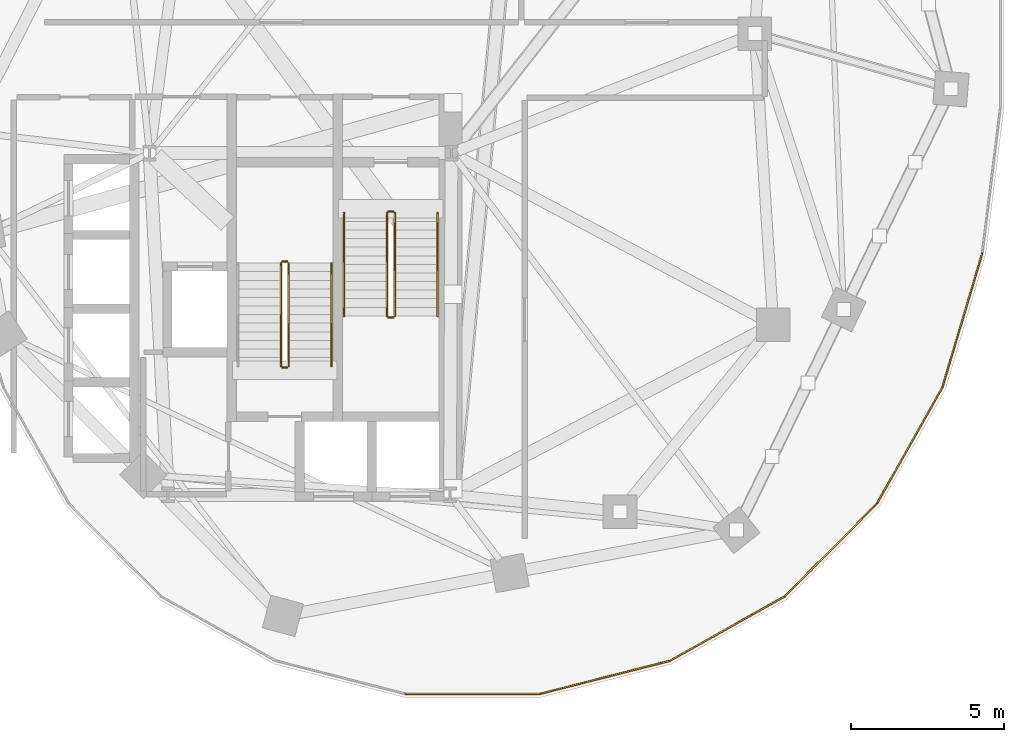
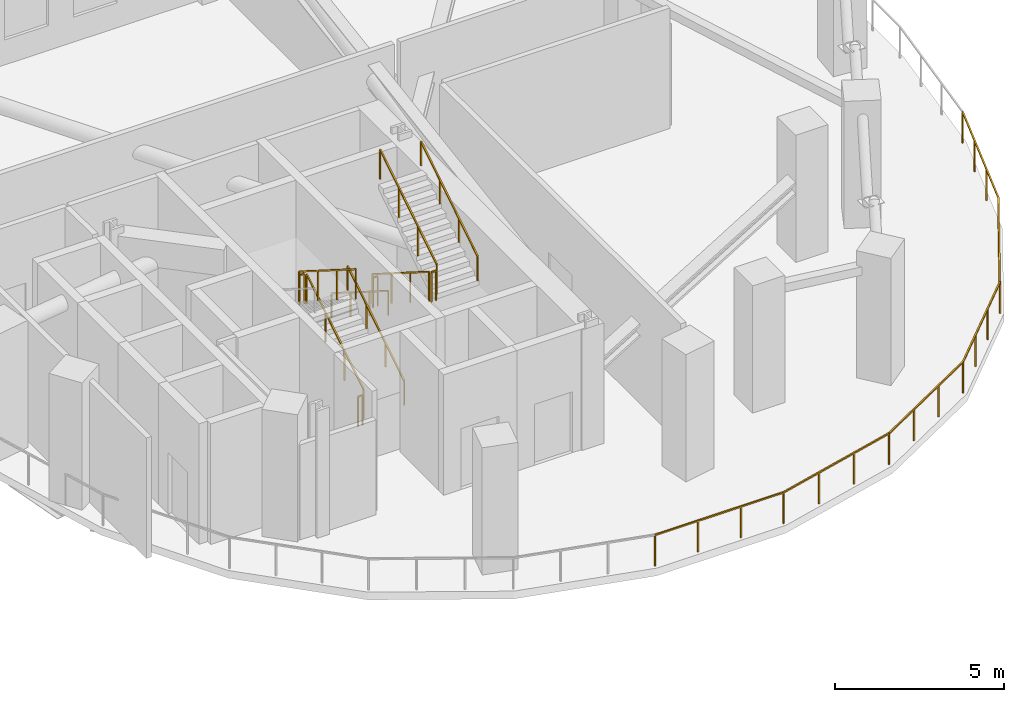
# One storey, part 11 of 12: 14 railings.
"""IFC4 building model written with IfcOpenShell, lengths in metres."""

import ifcopenshell
import ifcopenshell.guid

model = None  # the IFC model being written
_history = None  # IfcOwnerHistory: only IFC2X3 demands one
_inside = {}  # id of a spatial element -> (the spatial element, [elements in it])
_under = {}  # id of a project, library or spatial element -> (it, [spatial elements below it])
_declared = {}  # id of a project -> (the project, [libraries it declares])
_typed = {}  # id of a type object -> (the type object, [elements of that type])
_made_of = {}  # id of a material, layer set ... -> (it, [elements and type objects made of it])


def new_model(schema):
    """Start an empty IFC model of exactly this schema.

    Asked for "IFC4X3", IfcOpenShell would pick the latest addendum, in which some entities
    have other attributes; the version numbers below select the first issue.
    IFC2X3 requires an IfcOwnerHistory on every rooted entity: one is made here for all.
    """
    global model, _history
    if schema == "IFC4X3":
        model = ifcopenshell.file(schema_version=(4, 3, 0, 0))
    else:
        model = ifcopenshell.file(schema=schema)
    _inside.clear()
    _under.clear()
    _declared.clear()
    _typed.clear()
    _made_of.clear()
    _history = None
    if model.schema == "IFC2X3":
        org = make("IfcOrganization", Name="unknown")
        user = make(
            "IfcPersonAndOrganization",
            ThePerson=make("IfcPerson", FamilyName="unknown"),
            TheOrganization=org,
        )
        app = make(
            "IfcApplication",
            ApplicationDeveloper=org,
            Version="unknown",
            ApplicationFullName="unknown",
            ApplicationIdentifier="unknown",
        )
        _history = make(
            "IfcOwnerHistory",
            OwningUser=user,
            OwningApplication=app,
            ChangeAction="ADDED",
            CreationDate=0,
        )
    return model


def make(cls, **values):
    """One entity of the class cls with the attributes given. An attribute that is None is left unset."""
    return model.create_entity(
        cls, **{name: value for name, value in values.items() if value is not None}
    )


def rooted(cls, **values):
    """An entity with a GlobalId (a new one), such as an element, a storey or a relation."""
    return make(cls, GlobalId=ifcopenshell.guid.new(), OwnerHistory=_history, **values)


def si_unit(unit_type, name, prefix=None):
    """IfcSIUnit, for example si_unit("LENGTHUNIT", "METRE", prefix="MILLI")."""
    return make("IfcSIUnit", UnitType=unit_type, Prefix=prefix, Name=name)


def assignment(units):
    """IfcUnitAssignment: the units of a project."""
    return None if units is None else make("IfcUnitAssignment", Units=units)


def point(xyz):
    """IfcCartesianPoint."""
    return None if xyz is None else make("IfcCartesianPoint", Coordinates=xyz)


def direction(xyz):
    """IfcDirection."""
    return None if xyz is None else make("IfcDirection", DirectionRatios=xyz)


def frame(location, z_axis=None, x_axis=None):
    """IfcAxis2Placement3D, a coordinate frame: its origin and axes. An axis left out is left unset."""
    return make(
        "IfcAxis2Placement3D",
        Location=point(location),
        Axis=direction(z_axis),
        RefDirection=direction(x_axis),
    )


def frame_2d(location, x_axis=None):
    """IfcAxis2Placement2D, a coordinate frame in the plane: its origin and x axis."""
    return make(
        "IfcAxis2Placement2D", Location=point(location), RefDirection=direction(x_axis)
    )


def origin():
    """The frame at (0, 0, 0) with its axes left unset."""
    return frame((0.0, 0.0, 0.0))


def origin_2d():
    """The frame at (0, 0) in the plane with its x axis left unset."""
    return frame_2d((0.0, 0.0))


def place(relative_to, where):
    """IfcLocalPlacement: puts the frame where relative to a parent placement (None: the world)."""
    return make(
        "IfcLocalPlacement", PlacementRelTo=relative_to, RelativePlacement=where
    )


def context(
    kind, dimensions, precision=None, world=None, true_north=None, identifier=None
):
    """IfcGeometricRepresentationContext, for example the 3D "Model" context."""
    return make(
        "IfcGeometricRepresentationContext",
        ContextIdentifier=identifier,
        ContextType=kind,
        CoordinateSpaceDimension=dimensions,
        Precision=precision,
        WorldCoordinateSystem=world,
        TrueNorth=true_north,
    )


def subcontext(parent, identifier, kind, view, scale=None):
    """IfcGeometricRepresentationSubContext, for example "Body" below "Model"."""
    return make(
        "IfcGeometricRepresentationSubContext",
        ContextIdentifier=identifier,
        ContextType=kind,
        ParentContext=parent,
        TargetScale=scale,
        TargetView=view,
    )


def project(units=None, contexts=None):
    """IfcProject with its units and contexts."""
    return rooted(
        "IfcProject",
        Name="project",
        RepresentationContexts=contexts,
        UnitsInContext=assignment(units),
    )


def spatial(cls, under=None, at=None, **own):
    """A site, building, storey or space (cls), placed at a placement, below another one or the project."""
    s = rooted(cls, ObjectPlacement=at, **own)
    if under is not None:
        _under.setdefault(under.id(), (under, []))[1].append(s)
    return s


def profile(cls, at=None, kind="AREA", **sizes):
    """A parametric profile (cls). Its sizes go by their IFC names, for example OverallWidth=200.0."""
    return make(cls, ProfileType=kind, Position=at, **sizes)


def rectangle(**sizes):
    """IfcRectangleProfileDef."""
    return profile("IfcRectangleProfileDef", **sizes)


def extrude(swept, where, along, depth):
    """IfcExtrudedAreaSolid: the profile swept, set in the frame where, extruded along a direction by depth."""
    return make(
        "IfcExtrudedAreaSolid",
        SweptArea=swept,
        Position=where,
        ExtrudedDirection=direction(along),
        Depth=depth,
    )


def shape(context_of_items, identifier, shape_type, items):
    """IfcShapeRepresentation: the items that make up one representation, for example the "Body"."""
    return make(
        "IfcShapeRepresentation",
        ContextOfItems=context_of_items,
        RepresentationIdentifier=identifier,
        RepresentationType=shape_type,
        Items=items,
    )


def material(Name=None, Category=None):
    """IfcMaterial."""
    return make("IfcMaterial", Name=Name, Category=Category)


def made_of(thing, what):
    """Note that an element or type object is made of a material, layer set ...; save() writes the relation."""
    if what is not None:
        _made_of.setdefault(what.id(), (what, []))[1].append(thing)
    return thing


def type_object(cls, material=None, **own):
    """A type object (cls), such as IfcWallType, which elements share."""
    return made_of(rooted(cls, **own), material)


def element(
    cls,
    number,
    at=None,
    inside=None,
    cuts=None,
    type_object=None,
    material=None,
    context=None,
    identifier="Body",
    shape_type=None,
    held_by="IfcProductDefinitionShape",
    body=None,
    shapes=None,
    **own,
):
    """One element of the class cls, such as IfcWall. Its Tag is "e" and its number.

    at: its placement. inside: the storey or other place that contains it. cuts: it is an
    opening in that element (IfcRelVoidsElement). A single representation is given by context,
    identifier, shape_type and body (its items); several are given by shapes. held_by: the class
    of the entity that holds the representations. save() writes the other relations.
    """
    e = rooted(cls, Tag="e%d" % number, ObjectPlacement=at, **own)
    if body is not None:
        shapes = [shape(context, identifier, shape_type, body)]
    if shapes is not None:
        e.Representation = make(held_by, Representations=shapes)
    if inside is not None:
        _inside.setdefault(inside.id(), (inside, []))[1].append(e)
    if cuts is not None:
        rooted(
            "IfcRelVoidsElement", RelatingBuildingElement=cuts, RelatedOpeningElement=e
        )
    if type_object is not None:
        _typed.setdefault(type_object.id(), (type_object, []))[1].append(e)
    return made_of(e, material)


def aggregate(whole, parts):
    """IfcRelAggregates: a whole, such as a stair, and the parts it consists of."""
    return rooted("IfcRelAggregates", RelatingObject=whole, RelatedObjects=parts)


def save(model, path):
    """Write the relations noted so far, then the file.

    IfcRelAggregates (storeys below a building ...), IfcRelContainedInSpatialStructure (elements
    in a storey), IfcRelDefinesByType, IfcRelAssociatesMaterial and IfcRelDeclares: one each for
    every whole, place, type object, material and project.
    """
    for whole, parts in _under.values():
        aggregate(whole, parts)
    for where, things in _inside.values():
        rooted(
            "IfcRelContainedInSpatialStructure",
            RelatedElements=things,
            RelatingStructure=where,
        )
    for kind, things in _typed.values():
        rooted("IfcRelDefinesByType", RelatedObjects=things, RelatingType=kind)
    for what, things in _made_of.values():
        rooted("IfcRelAssociatesMaterial", RelatedObjects=things, RelatingMaterial=what)
    for by, libraries in _declared.values():
        rooted("IfcRelDeclares", RelatingContext=by, RelatedDefinitions=libraries)
    model.write(path)


model = new_model("IFC4")

# Units and contexts
model_context = context("Model", 3, precision=1e-05, world=origin(), true_north=direction((0.0, 1.0)))
body_context = subcontext(model_context, "Body", "Model", "MODEL_VIEW")
ifc_project = project(units=[si_unit("LENGTHUNIT", "METRE"), si_unit("AREAUNIT", "SQUARE_METRE"), si_unit("VOLUMEUNIT", "CUBIC_METRE"), si_unit("PLANEANGLEUNIT", "RADIAN"), si_unit("MASSUNIT", "GRAM", prefix="KILO"), si_unit("THERMODYNAMICTEMPERATUREUNIT", "KELVIN"), si_unit("POWERUNIT", "WATT")], contexts=[model_context])

# Site, building, storey
site_placement = place(None, origin())
site = spatial("IfcSite", under=ifc_project, at=site_placement, CompositionType="ELEMENT")
building_placement = place(site_placement, origin())
building = spatial("IfcBuilding", under=site, at=building_placement, Name="Cundina Bronze Exchange", CompositionType="ELEMENT")
storey_placement = place(building_placement, frame((0.0, 0.0, 132.199951171875)))
storey = spatial("IfcBuildingStorey", under=building, at=storey_placement, Name="L34", CompositionType="ELEMENT", Elevation=132.199951171875)

# Railings
ifc_material_1 = material(Name="Anodised Bronze Aluminium 6063-T6", Category="aluminium")
railing_type_1 = type_object("IfcRailingType", Name="RLG-GRD-1150", PredefinedType="GUARDRAIL", material=ifc_material_1)
railing_1_placement = place(storey_placement, frame((48.6171875, -7.17529296875, 0.0)))
element("IfcRailing", 1, at=railing_1_placement, inside=storey, type_object=railing_type_1, Name="L34 Perimeter Safety Guardrail 02", PredefinedType="GUARDRAIL", context=body_context, shape_type="SweptSolid", body=[
    extrude(rectangle(XDim=0.048095703125, YDim=0.048095703125, at=origin_2d()), frame((0.0, 0.0, 1.1259765625), z_axis=(-0.284864013169, -0.958567939168, 0.0), x_axis=(0.958567939168, -0.284864013169, 0.0)), (0.0, 0.0, 1.0), 4.564697265625),
    extrude(rectangle(XDim=0.048095703125, YDim=0.048095703125, at=origin_2d()), frame((-1.30029296875, -4.37548828125, 1.1259765625), z_axis=(-0.491134584651, -0.871083704221, 0.0), x_axis=(0.871083704221, -0.491134584651, 0.0)), (0.0, 0.0, 1.0), 4.35205078125),
    extrude(rectangle(XDim=0.0419921875, YDim=0.0419921875, at=origin_2d()), origin(), (0.0, 0.0, 1.0), 1.101806640625),
    extrude(rectangle(XDim=0.0419921875, YDim=0.0419921875, at=origin_2d()), frame((-0.433349609375, -1.45849609375, 0.0)), (0.0, 0.0, 1.0), 1.101806640625),
    extrude(rectangle(XDim=0.0419921875, YDim=0.0419921875, at=origin_2d()), frame((-0.866943359375, -2.9169921875, 0.0)), (0.0, 0.0, 1.0), 1.101806640625),
    extrude(rectangle(XDim=0.0419921875, YDim=0.0419921875, at=origin_2d()), frame((-1.30029296875, -4.37548828125, 0.0)), (0.0, 0.0, 1.0), 1.101806640625),
    extrude(rectangle(XDim=0.0419921875, YDim=0.0419921875, at=origin_2d()), frame((-2.0126953125, -5.63916015625, 0.0)), (0.0, 0.0, 1.0), 1.101806640625),
    extrude(rectangle(XDim=0.0419921875, YDim=0.0419921875, at=origin_2d()), frame((-2.725341796875, -6.90283203125, 0.0)), (0.0, 0.0, 1.0), 1.101806640625),
    extrude(rectangle(XDim=0.0419921875, YDim=0.0419921875, at=origin_2d()), frame((-3.437744140625, -8.16650390625, 0.0)), (0.0, 0.0, 1.0), 1.101806640625),
])
railing_2_placement = place(storey_placement, frame((45.179443359375, -15.341796875, 0.0)))
element("IfcRailing", 2, at=railing_2_placement, inside=storey, type_object=railing_type_1, Name="L34 Perimeter Safety Guardrail 03", PredefinedType="GUARDRAIL", context=body_context, shape_type="SweptSolid", body=[
    extrude(rectangle(XDim=0.048095703125, YDim=0.048095703125, at=origin_2d()), frame((0.0, 0.0, 1.1259765625), z_axis=(-0.705213293252, -0.70899521227, 0.0), x_axis=(0.70899521227, -0.705213293252, 0.0)), (0.0, 0.0, 1.0), 4.260498046875),
    extrude(rectangle(XDim=0.048095703125, YDim=0.048095703125, at=origin_2d()), frame((-3.004638671875, -3.020751953125, 1.1259765625), z_axis=(-0.871962493313, -0.48957268128, 0.0), x_axis=(0.48957268128, -0.871962493313, 0.0)), (0.0, 0.0, 1.0), 4.293701171875),
    extrude(rectangle(XDim=0.0419921875, YDim=0.0419921875, at=origin_2d()), origin(), (0.0, 0.0, 1.0), 1.101806640625),
    extrude(rectangle(XDim=0.0419921875, YDim=0.0419921875, at=origin_2d()), frame((-1.00146484375, -1.0068359375, 0.0)), (0.0, 0.0, 1.0), 1.101806640625),
    extrude(rectangle(XDim=0.0419921875, YDim=0.0419921875, at=origin_2d()), frame((-2.003173828125, -2.013916015625, 0.0)), (0.0, 0.0, 1.0), 1.101806640625),
    extrude(rectangle(XDim=0.0419921875, YDim=0.0419921875, at=origin_2d()), frame((-3.004638671875, -3.020751953125, 0.0)), (0.0, 0.0, 1.0), 1.101806640625),
    extrude(rectangle(XDim=0.0419921875, YDim=0.0419921875, at=origin_2d()), frame((-4.252685546875, -3.721435546875, 0.0)), (0.0, 0.0, 1.0), 1.101806640625),
    extrude(rectangle(XDim=0.0419921875, YDim=0.0419921875, at=origin_2d()), frame((-5.50048828125, -4.422119140625, 0.0)), (0.0, 0.0, 1.0), 1.101806640625),
    extrude(rectangle(XDim=0.0419921875, YDim=0.0419921875, at=origin_2d()), frame((-6.74853515625, -5.122802734375, 0.0)), (0.0, 0.0, 1.0), 1.101806640625),
])
railing_3_placement = place(storey_placement, frame((38.430908203125, -20.464599609375, 0.0)))
element("IfcRailing", 3, at=railing_3_placement, inside=storey, type_object=railing_type_1, Name="L34 Perimeter Safety Guardrail 04", PredefinedType="GUARDRAIL", context=body_context, shape_type="SweptSolid", body=[
    extrude(rectangle(XDim=0.048095703125, YDim=0.048095703125, at=origin_2d()), frame((0.0, 0.0, 1.1259765625), z_axis=(-0.969034209537, -0.246926508799, 0.0), x_axis=(0.246926508799, -0.969034209537, 0.0)), (0.0, 0.0, 1.0), 4.3671875),
    extrude(rectangle(XDim=0.048095703125, YDim=0.048095703125, at=origin_2d()), frame((-4.23193359375, -1.078369140625, 1.1259765625), z_axis=(-1.0, 0.0, 0.0), x_axis=(0.0, -1.0, 0.0)), (0.0, 0.0, 1.0), 4.39794921875),
    extrude(rectangle(XDim=0.0419921875, YDim=0.0419921875, at=origin_2d()), origin(), (0.0, 0.0, 1.0), 1.101806640625),
    extrude(rectangle(XDim=0.0419921875, YDim=0.0419921875, at=origin_2d()), frame((-1.41064453125, -0.359375, 0.0)), (0.0, 0.0, 1.0), 1.101806640625),
    extrude(rectangle(XDim=0.0419921875, YDim=0.0419921875, at=origin_2d()), frame((-2.8212890625, -0.718994140625, 0.0)), (0.0, 0.0, 1.0), 1.101806640625),
    extrude(rectangle(XDim=0.0419921875, YDim=0.0419921875, at=origin_2d()), frame((-4.23193359375, -1.078369140625, 0.0)), (0.0, 0.0, 1.0), 1.101806640625),
    extrude(rectangle(XDim=0.0419921875, YDim=0.0419921875, at=origin_2d()), frame((-5.697998046875, -1.078369140625, 0.0)), (0.0, 0.0, 1.0), 1.101806640625),
    extrude(rectangle(XDim=0.0419921875, YDim=0.0419921875, at=origin_2d()), frame((-7.163818359375, -1.078369140625, 0.0)), (0.0, 0.0, 1.0), 1.101806640625),
    extrude(rectangle(XDim=0.0419921875, YDim=0.0419921875, at=origin_2d()), frame((-8.6298828125, -1.078369140625, 0.0)), (0.0, 0.0, 1.0), 1.101806640625),
])
ifc_material_2 = material(Name="Steel ASTM A36 Painted", Category="steel")
railing_type_2 = type_object("IfcRailingType", Name="RLG-HND-900", PredefinedType="HANDRAIL", material=ifc_material_2)
railing_4_placement = place(storey_placement, frame((27.7900390625, -5.85009765625, 0.177001953125)))
element("IfcRailing", 4, at=railing_4_placement, inside=storey, type_object=railing_type_2, Name="L34 ST-E1 stair handrail 1", PredefinedType="HANDRAIL", context=body_context, shape_type="SweptSolid", body=[
    extrude(rectangle(XDim=0.048095703125, YDim=0.048095703125, at=origin_2d()), frame((0.0, 0.0, 0.8759765625), z_axis=(0.0, -0.845372108799, 0.534177870812), x_axis=(1.0, 0.0, 0.0)), (0.0, 0.0, 1.0), 3.974365234375),
    extrude(rectangle(XDim=0.0419921875, YDim=0.0419921875, at=origin_2d()), origin(), (0.0, 0.0, 1.0), 0.851806640625),
    extrude(rectangle(XDim=0.0419921875, YDim=0.0419921875, at=origin_2d()), frame((0.0, -1.119873046875, 0.707763671875)), (0.0, 0.0, 1.0), 0.851806640625),
    extrude(rectangle(XDim=0.0419921875, YDim=0.0419921875, at=origin_2d()), frame((0.0, -2.239990234375, 1.415283203125)), (0.0, 0.0, 1.0), 0.851806640625),
    extrude(rectangle(XDim=0.0419921875, YDim=0.0419921875, at=origin_2d()), frame((0.0, -3.35986328125, 2.123046875)), (0.0, 0.0, 1.0), 0.851806640625),
])
railing_5_placement = place(storey_placement, frame((30.85009765625, -9.2099609375, 2.47705078125)))
element("IfcRailing", 5, at=railing_5_placement, inside=storey, type_object=railing_type_2, Name="L34 ST-E1 stair handrail 2", PredefinedType="HANDRAIL", context=body_context, shape_type="SweptSolid", body=[
    extrude(rectangle(XDim=0.048095703125, YDim=0.048095703125, at=origin_2d()), frame((0.0, 0.0, 0.8759765625), z_axis=(0.0, 0.845372108799, 0.534177870812), x_axis=(-1.0, 0.0, 0.0)), (0.0, 0.0, 1.0), 3.974365234375),
    extrude(rectangle(XDim=0.0419921875, YDim=0.0419921875, at=origin_2d()), origin(), (0.0, 0.0, 1.0), 0.851806640625),
    extrude(rectangle(XDim=0.0419921875, YDim=0.0419921875, at=origin_2d()), frame((0.0, 1.119873046875, 0.707763671875)), (0.0, 0.0, 1.0), 0.851806640625),
    extrude(rectangle(XDim=0.0419921875, YDim=0.0419921875, at=origin_2d()), frame((0.0, 2.239990234375, 1.415283203125)), (0.0, 0.0, 1.0), 0.851806640625),
    extrude(rectangle(XDim=0.0419921875, YDim=0.0419921875, at=origin_2d()), frame((0.0, 3.35986328125, 2.123046875)), (0.0, 0.0, 1.0), 0.851806640625),
])
railing_6_placement = place(storey_placement, frame((27.389892578125, -10.85009765625, 0.177001953125)))
element("IfcRailing", 6, at=railing_6_placement, inside=storey, type_object=railing_type_2, Name="L34 ST-E2 stair handrail 1", PredefinedType="HANDRAIL", context=body_context, shape_type="SweptSolid", body=[
    extrude(rectangle(XDim=0.048095703125, YDim=0.048095703125, at=origin_2d()), frame((0.0, 0.0, 0.8759765625), z_axis=(0.0, 0.845389635667, 0.534150132366), x_axis=(-1.0, 0.0, 0.0)), (0.0, 0.0, 1.0), 3.974609375),
    extrude(rectangle(XDim=0.0419921875, YDim=0.0419921875, at=origin_2d()), origin(), (0.0, 0.0, 1.0), 0.851806640625),
    extrude(rectangle(XDim=0.0419921875, YDim=0.0419921875, at=origin_2d()), frame((0.0, 1.1201171875, 0.707763671875)), (0.0, 0.0, 1.0), 0.851806640625),
    extrude(rectangle(XDim=0.0419921875, YDim=0.0419921875, at=origin_2d()), frame((0.0, 2.239990234375, 1.415283203125)), (0.0, 0.0, 1.0), 0.851806640625),
    extrude(rectangle(XDim=0.0419921875, YDim=0.0419921875, at=origin_2d()), frame((0.0, 3.360107421875, 2.123046875)), (0.0, 0.0, 1.0), 0.851806640625),
])
railing_type_3 = type_object("IfcRailingType", Name="RLG-STG-1100", PredefinedType="GUARDRAIL", material=ifc_material_2)
railing_7_placement = place(storey_placement, frame((29.18994140625, -5.85009765625, 0.177001953125)))
element("IfcRailing", 7, at=railing_7_placement, inside=storey, type_object=railing_type_3, Name="L34 ST-E1 stair guard 1", PredefinedType="GUARDRAIL", context=body_context, shape_type="SweptSolid", body=[
    extrude(rectangle(XDim=0.048095703125, YDim=0.048095703125, at=origin_2d()), frame((0.0, 0.0, 1.076171875), z_axis=(0.0, -0.845372108799, 0.534177870812), x_axis=(1.0, 0.0, 0.0)), (0.0, 0.0, 1.0), 3.974365234375),
    extrude(rectangle(XDim=0.0419921875, YDim=0.0419921875, at=origin_2d()), origin(), (0.0, 0.0, 1.0), 1.052001953125),
    extrude(rectangle(XDim=0.0419921875, YDim=0.0419921875, at=origin_2d()), frame((0.0, -1.119873046875, 0.707763671875)), (0.0, 0.0, 1.0), 1.052001953125),
    extrude(rectangle(XDim=0.0419921875, YDim=0.0419921875, at=origin_2d()), frame((0.0, -2.239990234375, 1.415283203125)), (0.0, 0.0, 1.0), 1.052001953125),
    extrude(rectangle(XDim=0.0419921875, YDim=0.0419921875, at=origin_2d()), frame((0.0, -3.35986328125, 2.123046875)), (0.0, 0.0, 1.0), 1.052001953125),
])
railing_8_placement = place(storey_placement, frame((29.239990234375, -9.260009765625, 2.300048828125)))
element("IfcRailing", 8, at=railing_8_placement, inside=storey, type_object=railing_type_3, Name="L34 ST-E1 stair guard 2", PredefinedType="GUARDRAIL", context=body_context, shape_type="SweptSolid", body=[
    extrude(rectangle(XDim=0.048095703125, YDim=0.048095703125, at=origin_2d()), frame((0.0, 0.0, 1.076171875), z_axis=(1.0, 0.0, 0.0), x_axis=(0.0, 1.0, 0.0)), (0.0, 0.0, 1.0), 0.159912109375),
    extrude(rectangle(XDim=0.0419921875, YDim=0.0419921875, at=origin_2d()), origin(), (0.0, 0.0, 1.0), 1.052001953125),
    extrude(rectangle(XDim=0.0419921875, YDim=0.0419921875, at=origin_2d()), frame((0.159912109375, 0.0, 0.0)), (0.0, 0.0, 1.0), 1.052001953125),
])
railing_9_placement = place(storey_placement, frame((29.449951171875, -9.2099609375, 2.47705078125)))
element("IfcRailing", 9, at=railing_9_placement, inside=storey, type_object=railing_type_3, Name="L34 ST-E1 stair guard 3", PredefinedType="GUARDRAIL", context=body_context, shape_type="SweptSolid", body=[
    extrude(rectangle(XDim=0.048095703125, YDim=0.048095703125, at=origin_2d()), frame((0.0, 0.0, 1.076171875), z_axis=(0.0, 0.845372108799, 0.534177870812), x_axis=(-1.0, 0.0, 0.0)), (0.0, 0.0, 1.0), 3.974365234375),
    extrude(rectangle(XDim=0.0419921875, YDim=0.0419921875, at=origin_2d()), origin(), (0.0, 0.0, 1.0), 1.052001953125),
    extrude(rectangle(XDim=0.0419921875, YDim=0.0419921875, at=origin_2d()), frame((0.0, 1.119873046875, 0.707763671875)), (0.0, 0.0, 1.0), 1.052001953125),
    extrude(rectangle(XDim=0.0419921875, YDim=0.0419921875, at=origin_2d()), frame((0.0, 2.239990234375, 1.415283203125)), (0.0, 0.0, 1.0), 1.052001953125),
    extrude(rectangle(XDim=0.0419921875, YDim=0.0419921875, at=origin_2d()), frame((0.0, 3.35986328125, 2.123046875)), (0.0, 0.0, 1.0), 1.052001953125),
])
railing_10_placement = place(storey_placement, frame((29.239990234375, -5.800048828125, 0.0)))
element("IfcRailing", 10, at=railing_10_placement, inside=storey, type_object=railing_type_3, Name="L34 ST-E1 stair guard 4", PredefinedType="GUARDRAIL", context=body_context, shape_type="SweptSolid", body=[
    extrude(rectangle(XDim=0.048095703125, YDim=0.048095703125, at=origin_2d()), frame((0.0, 0.0, 1.076171875), z_axis=(1.0, 0.0, 0.0), x_axis=(0.0, 1.0, 0.0)), (0.0, 0.0, 1.0), 0.159912109375),
    extrude(rectangle(XDim=0.0419921875, YDim=0.0419921875, at=origin_2d()), origin(), (0.0, 0.0, 1.0), 1.052001953125),
    extrude(rectangle(XDim=0.0419921875, YDim=0.0419921875, at=origin_2d()), frame((0.159912109375, 0.0, 0.0)), (0.0, 0.0, 1.0), 1.052001953125),
])
railing_11_placement = place(storey_placement, frame((25.989990234375, -10.85009765625, 0.177001953125)))
element("IfcRailing", 11, at=railing_11_placement, inside=storey, type_object=railing_type_3, Name="L34 ST-E2 stair guard 1", PredefinedType="GUARDRAIL", context=body_context, shape_type="SweptSolid", body=[
    extrude(rectangle(XDim=0.048095703125, YDim=0.048095703125, at=origin_2d()), frame((0.0, 0.0, 1.076171875), z_axis=(0.0, 0.845389635667, 0.534150132366), x_axis=(-1.0, 0.0, 0.0)), (0.0, 0.0, 1.0), 3.974609375),
    extrude(rectangle(XDim=0.0419921875, YDim=0.0419921875, at=origin_2d()), origin(), (0.0, 0.0, 1.0), 1.052001953125),
    extrude(rectangle(XDim=0.0419921875, YDim=0.0419921875, at=origin_2d()), frame((0.0, 1.1201171875, 0.707763671875)), (0.0, 0.0, 1.0), 1.052001953125),
    extrude(rectangle(XDim=0.0419921875, YDim=0.0419921875, at=origin_2d()), frame((0.0, 2.239990234375, 1.415283203125)), (0.0, 0.0, 1.0), 1.052001953125),
    extrude(rectangle(XDim=0.0419921875, YDim=0.0419921875, at=origin_2d()), frame((0.0, 3.360107421875, 2.123046875)), (0.0, 0.0, 1.0), 1.052001953125),
])
railing_12_placement = place(storey_placement, frame((25.93994140625, -7.43994140625, 2.300048828125)))
element("IfcRailing", 12, at=railing_12_placement, inside=storey, type_object=railing_type_3, Name="L34 ST-E2 stair guard 2", PredefinedType="GUARDRAIL", context=body_context, shape_type="SweptSolid", body=[
    extrude(rectangle(XDim=0.048095703125, YDim=0.048095703125, at=origin_2d()), frame((0.0, 0.0, 1.076171875), z_axis=(-1.0, 0.0, 0.0), x_axis=(0.0, -1.0, 0.0)), (0.0, 0.0, 1.0), 0.159912109375),
    extrude(rectangle(XDim=0.0419921875, YDim=0.0419921875, at=origin_2d()), origin(), (0.0, 0.0, 1.0), 1.052001953125),
    extrude(rectangle(XDim=0.0419921875, YDim=0.0419921875, at=origin_2d()), frame((-0.159912109375, 0.0, 0.0)), (0.0, 0.0, 1.0), 1.052001953125),
])
railing_13_placement = place(storey_placement, frame((25.72998046875, -7.489990234375, 2.47705078125)))
element("IfcRailing", 13, at=railing_13_placement, inside=storey, type_object=railing_type_3, Name="L34 ST-E2 stair guard 3", PredefinedType="GUARDRAIL", context=body_context, shape_type="SweptSolid", body=[
    extrude(rectangle(XDim=0.048095703125, YDim=0.048095703125, at=origin_2d()), frame((0.0, 0.0, 1.076171875), z_axis=(0.0, -0.845389635667, 0.534150132366), x_axis=(1.0, 0.0, 0.0)), (0.0, 0.0, 1.0), 3.974609375),
    extrude(rectangle(XDim=0.0419921875, YDim=0.0419921875, at=origin_2d()), origin(), (0.0, 0.0, 1.0), 1.052001953125),
    extrude(rectangle(XDim=0.0419921875, YDim=0.0419921875, at=origin_2d()), frame((0.0, -1.1201171875, 0.707763671875)), (0.0, 0.0, 1.0), 1.052001953125),
    extrude(rectangle(XDim=0.0419921875, YDim=0.0419921875, at=origin_2d()), frame((0.0, -2.239990234375, 1.415283203125)), (0.0, 0.0, 1.0), 1.052001953125),
    extrude(rectangle(XDim=0.0419921875, YDim=0.0419921875, at=origin_2d()), frame((0.0, -3.360107421875, 2.123046875)), (0.0, 0.0, 1.0), 1.052001953125),
])
railing_14_placement = place(storey_placement, frame((25.93994140625, -10.89990234375, 0.0)))
element("IfcRailing", 14, at=railing_14_placement, inside=storey, type_object=railing_type_3, Name="L34 ST-E2 stair guard 4", PredefinedType="GUARDRAIL", context=body_context, shape_type="SweptSolid", body=[
    extrude(rectangle(XDim=0.048095703125, YDim=0.048095703125, at=origin_2d()), frame((0.0, 0.0, 1.076171875), z_axis=(-1.0, 0.0, 0.0), x_axis=(0.0, -1.0, 0.0)), (0.0, 0.0, 1.0), 0.159912109375),
    extrude(rectangle(XDim=0.0419921875, YDim=0.0419921875, at=origin_2d()), origin(), (0.0, 0.0, 1.0), 1.052001953125),
    extrude(rectangle(XDim=0.0419921875, YDim=0.0419921875, at=origin_2d()), frame((-0.159912109375, 0.0, 0.0)), (0.0, 0.0, 1.0), 1.052001953125),
])

save(model, "model.ifc")
